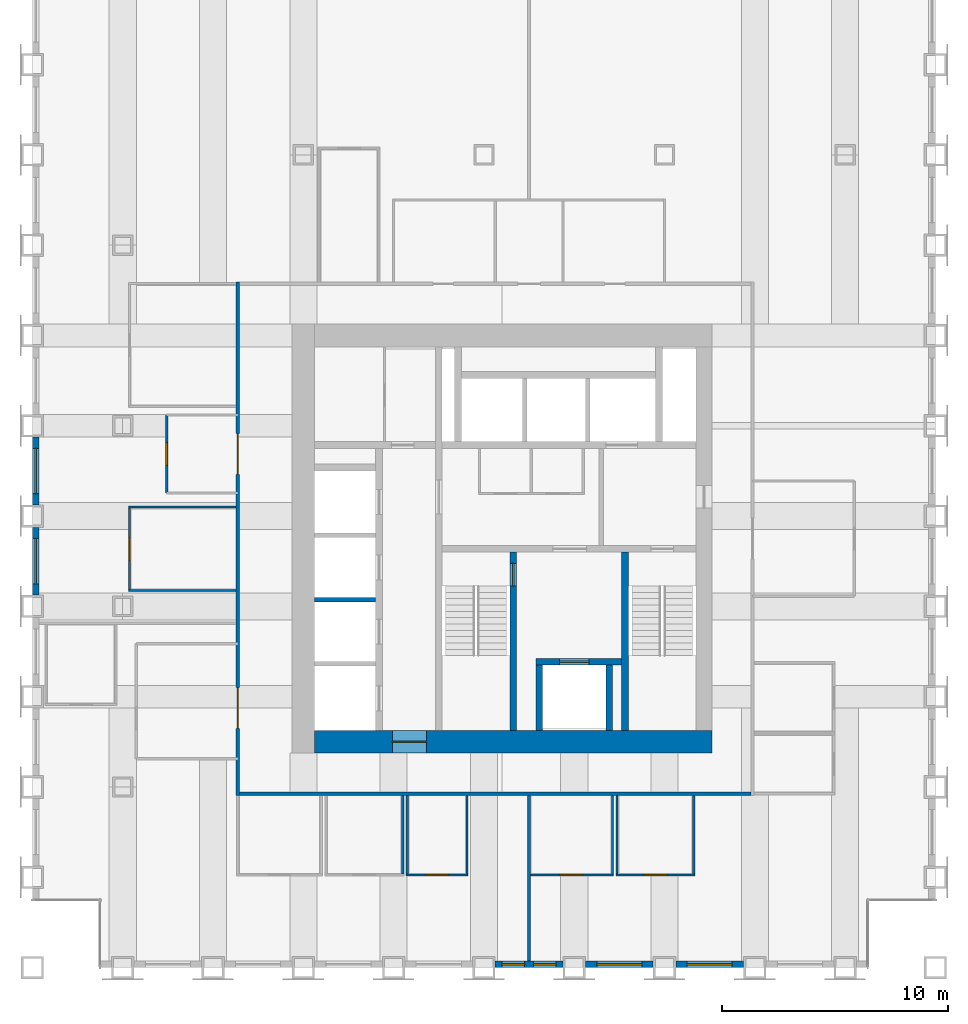
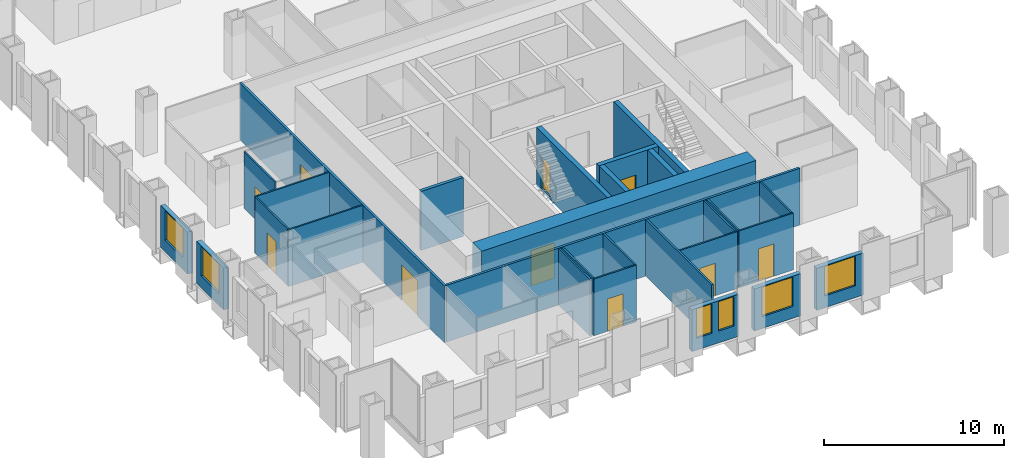
# One storey, part 8 of 13: 28 walls, 10 doors, 6 windows, 16 openings.
"""IFC4 building model written with IfcOpenShell, lengths in metres."""

from ifc_helpers import new_model, si_unit, direction, frame, frame_2d, origin, place, context, subcontext, project, spatial, rectangle, extrude, material, layer, layer_set, type_object, element, fill, save


model = new_model("IFC4")

# Units and contexts
model_context = context("Model", 3, precision=1e-05, world=origin(), true_north=direction((0.0, 1.0)))
body_context = subcontext(model_context, "Body", "Model", "MODEL_VIEW")
ifc_project = project(units=[si_unit("LENGTHUNIT", "METRE"), si_unit("AREAUNIT", "SQUARE_METRE"), si_unit("VOLUMEUNIT", "CUBIC_METRE"), si_unit("PLANEANGLEUNIT", "RADIAN"), si_unit("MASSUNIT", "GRAM", prefix="KILO")], contexts=[model_context])

# Site, building, storey
site_placement = place(None, origin())
site = spatial("IfcSite", under=ifc_project, at=site_placement, CompositionType="ELEMENT")
building_placement = place(site_placement, origin())
building = spatial("IfcBuilding", under=site, at=building_placement, Name="Rimbunsela Tower", CompositionType="ELEMENT")
storey_placement = place(building_placement, frame((0.0, 0.0, 175.800048828125)))
storey = spatial("IfcBuildingStorey", under=building, at=storey_placement, Name="L42", CompositionType="ELEMENT", Elevation=175.800048828125)

# Wall, opening, door
ifc_material_1 = material(Name="Concrete fc' 80 MPa", Category="concrete")
ifc_layer_1 = layer(ifc_material_1, 0.300048828125)
ifc_layer_set_1 = layer_set([ifc_layer_1], Name="Core internal wall 300")
wall_type_1 = type_object("IfcWallType", Name="Core internal wall 300", PredefinedType="SHEAR", material=ifc_layer_set_1)
wall_1_placement = place(storey_placement, frame((27.300048828125, 18.5, -0.150146484375), z_axis=(0.0, 0.0, 1.0), x_axis=(0.0, 1.0, 0.0)))
wall_1 = element("IfcWall", 1, at=wall_1_placement, inside=storey, type_object=wall_type_1, Name="Stair A enclosure", PredefinedType="SHEAR", context=body_context, shape_type="SweptSolid", body=[
    extrude(rectangle(XDim=7.89990234375, YDim=0.300048828125, at=frame_2d((3.949951171875, 0.0))), origin(), (0.0, 0.0, 1.0), 4.0),
])
opening_1_placement = place(wall_1_placement, frame((6.39990234375, 0.0, 0.14990234375)))
opening_1 = element("IfcOpeningElement", 2, at=opening_1_placement, cuts=wall_1, Name="Opening D01", PredefinedType="OPENING", context=body_context, shape_type="SweptSolid", body=[
    extrude(rectangle(XDim=1.0, YDim=2.199951171875, at=frame_2d((0.5, 1.10009765625))), frame((0.0, 0.159912109375, 0.0), z_axis=(0.0, -1.0, 0.0), x_axis=(1.0, 0.0, 0.0)), (0.0, 0.0, 1.0), 0.320068359375),
])
ifc_material_2 = material(Name="Steel door, fire rated", Category="steel")
door_type_1 = type_object("IfcDoorType", Name="Stair door 1000", OperationType="SINGLE_SWING_RIGHT", PredefinedType="DOOR", material=ifc_material_2)
door_1_placement = place(opening_1_placement, origin())
door_1 = element("IfcDoor", 3, at=door_1_placement, inside=storey, type_object=door_type_1, Name="Stair A door", OperationType="SINGLE_SWING_RIGHT", OverallHeight=2.199951171875, OverallWidth=1.0, PredefinedType="DOOR", context=body_context, shape_type="SweptSolid", body=[
    extrude(rectangle(XDim=1.0, YDim=2.199951171875, at=frame_2d((0.5, 1.10009765625))), frame((0.0, 0.02490234375, 0.0), z_axis=(0.0, -1.0, 0.0), x_axis=(1.0, 0.0, 0.0)), (0.0, 0.0, 1.0), 0.050048828125),
])
fill(opening_1, door_1)

# Walls
wall_2_placement = place(storey_placement, frame((32.25, 18.5, -0.150146484375), z_axis=(0.0, 0.0, 1.0), x_axis=(0.0, 1.0, 0.0)))
element("IfcWall", 4, at=wall_2_placement, inside=storey, type_object=wall_type_1, Name="Stair B enclosure", PredefinedType="SHEAR", context=body_context, shape_type="SweptSolid", body=[
    extrude(rectangle(XDim=7.89990234375, YDim=0.300048828125, at=frame_2d((3.949951171875, 0.0))), origin(), (0.0, 0.0, 1.0), 4.0),
])
for number, where, z_axis, x_axis, name in (
    (5, (28.449951171875, 18.5, -0.150146484375), (0.0, 0.0, 1.0), (0.0, 1.0, 0.0), "Firefighting lift shaft west"),
    (6, (31.550048828125, 18.5, -0.150146484375), (0.0, 0.0, 1.0), (0.0, 1.0, 0.0), "Firefighting lift shaft east"),
):
    element("IfcWall", number, at=place(storey_placement, frame(where, z_axis=z_axis, x_axis=x_axis)), inside=storey, type_object=wall_type_1, Name=name, PredefinedType="SHEAR", context=body_context, shape_type="SweptSolid", body=[
        extrude(rectangle(XDim=2.89990234375, YDim=0.300048828125, at=frame_2d((1.449951171875, 0.0))), origin(), (0.0, 0.0, 1.0), 4.0),
    ])

# Wall, opening, door
wall_3_placement = place(storey_placement, frame((28.300048828125, 21.550048828125, -0.150146484375), z_axis=(0.0, 0.0, 1.0), x_axis=(1.0, 0.0, 0.0)))
wall_3 = element("IfcWall", 7, at=wall_3_placement, inside=storey, type_object=wall_type_1, Name="Firefighting lift shaft front", PredefinedType="SHEAR", context=body_context, shape_type="SweptSolid", body=[
    extrude(rectangle(XDim=3.800048828125, YDim=0.300048828125, at=frame_2d((1.89990234375, 0.0))), origin(), (0.0, 0.0, 1.0), 4.0),
])
opening_2_placement = place(wall_3_placement, frame((1.050048828125, 0.0, 0.14990234375)))
opening_2 = element("IfcOpeningElement", 8, at=opening_2_placement, cuts=wall_3, Name="Opening LD2", PredefinedType="OPENING", context=body_context, shape_type="SweptSolid", body=[
    extrude(rectangle(XDim=1.300048828125, YDim=2.39990234375, at=frame_2d((0.64990234375, 1.199951171875))), frame((0.0, 0.159912109375, 0.0), z_axis=(0.0, -1.0, 0.0), x_axis=(1.0, 0.0, 0.0)), (0.0, 0.0, 1.0), 0.320068359375),
])
ifc_material_3 = material(Name="Steel door, fire rated", Category="steel")
door_type_2 = type_object("IfcDoorType", Name="Lift landing door 1300", OperationType="DOUBLE_DOOR_SLIDING", PredefinedType="DOOR", material=ifc_material_3)
door_2_placement = place(opening_2_placement, origin())
door_2 = element("IfcDoor", 9, at=door_2_placement, inside=storey, type_object=door_type_2, Name="Lift landing door FL1", OperationType="DOUBLE_DOOR_SLIDING", OverallHeight=2.39990234375, OverallWidth=1.300048828125, PredefinedType="DOOR", context=body_context, shape_type="SweptSolid", body=[
    extrude(rectangle(XDim=1.300048828125, YDim=2.39990234375, at=frame_2d((0.64990234375, 1.199951171875))), frame((0.0, 0.02490234375, 0.0), z_axis=(0.0, -1.0, 0.0), x_axis=(1.0, 0.0, 0.0)), (0.0, 0.0, 1.0), 0.050048828125),
])
fill(opening_2, door_2)

ifc_material_4 = material(Name="Concrete fc' 80 MPa", Category="concrete")
ifc_layer_2 = layer(ifc_material_4, 1.0)
ifc_layer_set_2 = layer_set([ifc_layer_2], Name="Core wall 1000")
wall_type_2 = type_object("IfcWallType", Name="Core wall 1000", PredefinedType="SHEAR", material=ifc_layer_set_2)
wall_4_placement = place(storey_placement, frame((18.5, 18.0, -0.150146484375), z_axis=(0.0, 0.0, 1.0), x_axis=(1.0, 0.0, 0.0)))
wall_4 = element("IfcWall", 10, at=wall_4_placement, inside=storey, type_object=wall_type_2, Name="Core wall south", PredefinedType="SHEAR", context=body_context, shape_type="SweptSolid", body=[
    extrude(rectangle(XDim=17.60009765625, YDim=1.0, at=frame_2d((8.800048828125, 0.0))), origin(), (0.0, 0.0, 1.0), 4.0),
])
opening_3_placement = place(wall_4_placement, frame((3.449951171875, 0.0, 0.14990234375)))
opening_3 = element("IfcOpeningElement", 11, at=opening_3_placement, cuts=wall_4, Name="Opening D03", PredefinedType="OPENING", context=body_context, shape_type="SweptSolid", body=[
    extrude(rectangle(XDim=1.5, YDim=2.39990234375, at=frame_2d((0.75, 1.199951171875))), frame((0.0, 0.510009765625, 0.0), z_axis=(0.0, -1.0, 0.0), x_axis=(1.0, 0.0, 0.0)), (0.0, 0.0, 1.0), 1.02001953125),
])
ifc_material_5 = material(Name="Steel door, fire rated", Category="steel")
door_type_3 = type_object("IfcDoorType", Name="Core lobby door 1500", OperationType="DOUBLE_DOOR_DOUBLE_SWING", PredefinedType="DOOR", material=ifc_material_5)
door_3_placement = place(opening_3_placement, origin())
door_3 = element("IfcDoor", 12, at=door_3_placement, inside=storey, type_object=door_type_3, Name="Core door south", OperationType="DOUBLE_DOOR_DOUBLE_SWING", OverallHeight=2.39990234375, OverallWidth=1.5, PredefinedType="DOOR", context=body_context, shape_type="SweptSolid", body=[
    extrude(rectangle(XDim=1.5, YDim=2.39990234375, at=frame_2d((0.75, 1.199951171875))), frame((0.0, 0.02490234375, 0.0), z_axis=(0.0, -1.0, 0.0), x_axis=(1.0, 0.0, 0.0)), (0.0, 0.0, 1.0), 0.050048828125),
])
fill(opening_3, door_3)

# Wall
ifc_material_6 = material(Name="Concrete blockwork", Category="masonry")
ifc_layer_3 = layer(ifc_material_6, 0.199951171875)
ifc_layer_set_3 = layer_set([ifc_layer_3], Name="Lift shaft wall 200")
wall_type_3 = type_object("IfcWallType", Name="Lift shaft wall 200", PredefinedType="SOLIDWALL", material=ifc_layer_set_3)
wall_5_placement = place(storey_placement, frame((18.5, 24.300048828125, -0.150146484375), z_axis=(0.0, 0.0, 1.0), x_axis=(1.0, 0.0, 0.0)))
element("IfcWall", 13, at=wall_5_placement, inside=storey, type_object=wall_type_3, Name="Lift shaft separation", PredefinedType="SOLIDWALL", context=body_context, shape_type="SweptSolid", body=[
    extrude(rectangle(XDim=2.699951171875, YDim=0.199951171875, at=frame_2d((1.35009765625, 0.0))), origin(), (0.0, 0.0, 1.0), 4.0),
])

# Wall, opening, door
ifc_material_7 = material(Name="Gypsum board on steel studs", Category="steel")
ifc_layer_4 = layer(ifc_material_7, 0.10009765625)
ifc_layer_set_4 = layer_set([ifc_layer_4], Name="Office partition 100")
wall_type_4 = type_object("IfcWallType", Name="Office partition 100", PredefinedType="PARTITIONING", material=ifc_layer_set_4)
wall_6_placement = place(storey_placement, frame((22.550048828125, 12.10009765625, 0.0), z_axis=(0.0, 0.0, 1.0), x_axis=(1.0, 0.0, 0.0)))
wall_6 = element("IfcWall", 14, at=wall_6_placement, inside=storey, type_object=wall_type_4, Name="Office partition", PredefinedType="PARTITIONING", context=body_context, shape_type="SweptSolid", body=[
    extrude(rectangle(XDim=2.75, YDim=0.10009765625, at=frame_2d((1.375, 0.0))), origin(), (0.0, 0.0, 1.0), 3.849853515625),
])
opening_4_placement = place(wall_6_placement, frame((0.875, 0.0, 0.0)))
opening_4 = element("IfcOpeningElement", 15, at=opening_4_placement, cuts=wall_6, Name="Opening D16", PredefinedType="OPENING", context=body_context, shape_type="SweptSolid", body=[
    extrude(rectangle(XDim=1.0, YDim=2.199951171875, at=frame_2d((0.5, 1.10009765625))), frame((0.0, 0.06005859375, 0.0), z_axis=(0.0, -1.0, 0.0), x_axis=(1.0, 0.0, 0.0)), (0.0, 0.0, 1.0), 0.1201171875),
])
ifc_material_8 = material(Name="Timber door", Category="wood")
door_type_4 = type_object("IfcDoorType", Name="Office door 1000", OperationType="SINGLE_SWING_LEFT", PredefinedType="DOOR", material=ifc_material_8)
door_4_placement = place(opening_4_placement, origin())
door_4 = element("IfcDoor", 16, at=door_4_placement, inside=storey, type_object=door_type_4, Name="Office door", OperationType="SINGLE_SWING_LEFT", OverallHeight=2.199951171875, OverallWidth=1.0, PredefinedType="DOOR", context=body_context, shape_type="SweptSolid", body=[
    extrude(rectangle(XDim=1.0, YDim=2.199951171875, at=frame_2d((0.5, 1.10009765625))), frame((0.0, 0.02490234375, 0.0), z_axis=(0.0, -1.0, 0.0), x_axis=(1.0, 0.0, 0.0)), (0.0, 0.0, 1.0), 0.050048828125),
])
fill(opening_4, door_4)

wall_7_placement = place(storey_placement, frame((28.06005859375, 12.10009765625, 0.0), z_axis=(0.0, 0.0, 1.0), x_axis=(1.0, 0.0, 0.0)))
wall_7 = element("IfcWall", 17, at=wall_7_placement, inside=storey, type_object=wall_type_4, Name="Office partition", PredefinedType="PARTITIONING", context=body_context, shape_type="SweptSolid", body=[
    extrude(rectangle(XDim=3.68994140625, YDim=0.10009765625, at=frame_2d((1.844970703125, 0.0))), origin(), (0.0, 0.0, 1.0), 3.849853515625),
])
opening_5_placement = place(wall_7_placement, frame((1.2900390625, 0.0, 0.0)))
opening_5 = element("IfcOpeningElement", 18, at=opening_5_placement, cuts=wall_7, Name="Opening D17", PredefinedType="OPENING", context=body_context, shape_type="SweptSolid", body=[
    extrude(rectangle(XDim=1.0, YDim=2.199951171875, at=frame_2d((0.5, 1.10009765625))), frame((0.0, 0.06005859375, 0.0), z_axis=(0.0, -1.0, 0.0), x_axis=(1.0, 0.0, 0.0)), (0.0, 0.0, 1.0), 0.1201171875),
])
ifc_material_9 = material(Name="Glazed aluminium door", Category="aluminium")
door_type_5 = type_object("IfcDoorType", Name="Meeting room door 1000 glazed", OperationType="SINGLE_SWING_RIGHT", PredefinedType="DOOR", material=ifc_material_9)
door_5_placement = place(opening_5_placement, origin())
door_5 = element("IfcDoor", 19, at=door_5_placement, inside=storey, type_object=door_type_5, Name="Meeting room door", OperationType="SINGLE_SWING_RIGHT", OverallHeight=2.199951171875, OverallWidth=1.0, PredefinedType="DOOR", context=body_context, shape_type="SweptSolid", body=[
    extrude(rectangle(XDim=1.0, YDim=2.199951171875, at=frame_2d((0.5, 1.10009765625))), frame((0.0, 0.02490234375, 0.0), z_axis=(0.0, -1.0, 0.0), x_axis=(1.0, 0.0, 0.0)), (0.0, 0.0, 1.0), 0.050048828125),
])
fill(opening_5, door_5)

wall_8_placement = place(storey_placement, frame((31.85009765625, 12.10009765625, 0.0), z_axis=(0.0, 0.0, 1.0), x_axis=(1.0, 0.0, 0.0)))
wall_8 = element("IfcWall", 20, at=wall_8_placement, inside=storey, type_object=wall_type_4, Name="Office partition", PredefinedType="PARTITIONING", context=body_context, shape_type="SweptSolid", body=[
    extrude(rectangle(XDim=3.5, YDim=0.10009765625, at=frame_2d((1.75, 0.0))), origin(), (0.0, 0.0, 1.0), 3.849853515625),
])
opening_6_placement = place(wall_8_placement, frame((1.25, 0.0, 0.0)))
opening_6 = element("IfcOpeningElement", 21, at=opening_6_placement, cuts=wall_8, Name="Opening D16", PredefinedType="OPENING", context=body_context, shape_type="SweptSolid", body=[
    extrude(rectangle(XDim=1.0, YDim=2.199951171875, at=frame_2d((0.5, 1.10009765625))), frame((0.0, 0.06005859375, 0.0), z_axis=(0.0, -1.0, 0.0), x_axis=(1.0, 0.0, 0.0)), (0.0, 0.0, 1.0), 0.1201171875),
])
door_6_placement = place(opening_6_placement, origin())
door_6 = element("IfcDoor", 22, at=door_6_placement, inside=storey, type_object=door_type_4, Name="Office door", OperationType="SINGLE_SWING_LEFT", OverallHeight=2.199951171875, OverallWidth=1.0, PredefinedType="DOOR", context=body_context, shape_type="SweptSolid", body=[
    extrude(rectangle(XDim=1.0, YDim=2.199951171875, at=frame_2d((0.5, 1.10009765625))), frame((0.0, 0.02490234375, 0.0), z_axis=(0.0, -1.0, 0.0), x_axis=(1.0, 0.0, 0.0)), (0.0, 0.0, 1.0), 0.050048828125),
])
fill(opening_6, door_6)

# Walls
for number, where, z_axis, x_axis, name in (
    (23, (10.25, 24.699951171875, 0.0), (0.0, 0.0, 1.0), (1.0, 0.0, 0.0), "Office partition"),
    (24, (10.25, 28.39990234375, 0.0), (0.0, 0.0, 1.0), (1.0, 0.0, 0.0), "Office partition"),
):
    element("IfcWall", number, at=place(storey_placement, frame(where, z_axis=z_axis, x_axis=x_axis)), inside=storey, type_object=wall_type_4, Name=name, PredefinedType="PARTITIONING", context=body_context, shape_type="SweptSolid", body=[
        extrude(rectangle(XDim=4.77490234375, YDim=0.10009765625, at=frame_2d((2.387451171875, 0.0))), origin(), (0.0, 0.0, 1.0), 3.849853515625),
    ])

# Wall, opening, door
wall_9_placement = place(storey_placement, frame((10.300048828125, 24.75, 0.0), z_axis=(0.0, 0.0, 1.0), x_axis=(0.0, 1.0, 0.0)))
wall_9 = element("IfcWall", 25, at=wall_9_placement, inside=storey, type_object=wall_type_4, Name="Office partition", PredefinedType="PARTITIONING", context=body_context, shape_type="SweptSolid", body=[
    extrude(rectangle(XDim=3.60009765625, YDim=0.10009765625, at=frame_2d((1.800048828125, 0.0))), origin(), (0.0, 0.0, 1.0), 3.849853515625),
])
opening_7_placement = place(wall_9_placement, frame((1.300048828125, 0.0, 0.0)))
opening_7 = element("IfcOpeningElement", 26, at=opening_7_placement, cuts=wall_9, Name="Opening D17", PredefinedType="OPENING", context=body_context, shape_type="SweptSolid", body=[
    extrude(rectangle(XDim=1.0, YDim=2.199951171875, at=frame_2d((0.5, 1.10009765625))), frame((0.0, 0.06005859375, 0.0), z_axis=(0.0, -1.0, 0.0), x_axis=(1.0, 0.0, 0.0)), (0.0, 0.0, 1.0), 0.1201171875),
])
door_7_placement = place(opening_7_placement, origin())
door_7 = element("IfcDoor", 27, at=door_7_placement, inside=storey, type_object=door_type_5, Name="Meeting room door", OperationType="SINGLE_SWING_RIGHT", OverallHeight=2.199951171875, OverallWidth=1.0, PredefinedType="DOOR", context=body_context, shape_type="SweptSolid", body=[
    extrude(rectangle(XDim=1.0, YDim=2.199951171875, at=frame_2d((0.5, 1.10009765625))), frame((0.0, 0.02490234375, 0.0), z_axis=(0.0, -1.0, 0.0), x_axis=(1.0, 0.0, 0.0)), (0.0, 0.0, 1.0), 0.050048828125),
])
fill(opening_7, door_7)

# Walls
for number, where, z_axis, x_axis, name in (
    (28, (22.39990234375, 12.14990234375, 0.0), (0.0, 0.0, 1.0), (0.0, 1.0, 0.0), "Office partition"),
    (29, (22.60009765625, 12.14990234375, 0.0), (0.0, 0.0, 1.0), (0.0, 1.0, 0.0), "Office partition"),
    (30, (25.25, 12.14990234375, 0.0), (0.0, 0.0, 1.0), (0.0, 1.0, 0.0), "Office partition"),
    (31, (31.699951171875, 12.14990234375, 0.0), (0.0, 0.0, 1.0), (0.0, 1.0, 0.0), "Office partition"),
    (32, (31.89990234375, 12.14990234375, 0.0), (0.0, 0.0, 1.0), (0.0, 1.0, 0.0), "Office partition"),
    (33, (35.300048828125, 12.14990234375, 0.0), (0.0, 0.0, 1.0), (0.0, 1.0, 0.0), "Office partition"),
):
    element("IfcWall", number, at=place(storey_placement, frame(where, z_axis=z_axis, x_axis=x_axis)), inside=storey, type_object=wall_type_4, Name=name, PredefinedType="PARTITIONING", context=body_context, shape_type="SweptSolid", body=[
        extrude(rectangle(XDim=3.47509765625, YDim=0.10009765625, at=frame_2d((1.737548828125, 0.0))), origin(), (0.0, 0.0, 1.0), 3.849853515625),
    ])

# Wall, opening, door
wall_10_placement = place(storey_placement, frame((11.949951171875, 32.47509765625, 0.0), z_axis=(0.0, 0.0, 1.0), x_axis=(0.0, -1.0, 0.0)))
wall_10 = element("IfcWall", 34, at=wall_10_placement, inside=storey, type_object=wall_type_4, Name="Office partition", PredefinedType="PARTITIONING", context=body_context, shape_type="SweptSolid", body=[
    extrude(rectangle(XDim=3.4501953125, YDim=0.10009765625, at=frame_2d((1.72509765625, 0.0))), origin(), (0.0, 0.0, 1.0), 3.849853515625),
])
opening_8_placement = place(wall_10_placement, frame((1.22509765625, 0.0, 0.0)))
opening_8 = element("IfcOpeningElement", 35, at=opening_8_placement, cuts=wall_10, Name="Opening D17", PredefinedType="OPENING", context=body_context, shape_type="SweptSolid", body=[
    extrude(rectangle(XDim=1.0, YDim=2.199951171875, at=frame_2d((0.5, 1.10009765625))), frame((0.0, 0.06005859375, 0.0), z_axis=(0.0, -1.0, 0.0), x_axis=(1.0, 0.0, 0.0)), (0.0, 0.0, 1.0), 0.1201171875),
])
door_8_placement = place(opening_8_placement, origin())
door_8 = element("IfcDoor", 36, at=door_8_placement, inside=storey, type_object=door_type_5, Name="Reception door", OperationType="SINGLE_SWING_RIGHT", OverallHeight=2.199951171875, OverallWidth=1.0, PredefinedType="DOOR", context=body_context, shape_type="SweptSolid", body=[
    extrude(rectangle(XDim=1.0, YDim=2.199951171875, at=frame_2d((0.5, 1.10009765625))), frame((0.0, 0.02490234375, 0.0), z_axis=(0.0, -1.0, 0.0), x_axis=(1.0, 0.0, 0.0)), (0.0, 0.0, 1.0), 0.050048828125),
])
fill(opening_8, door_8)

# Wall, openings, windows
ifc_material_10 = material(Name="Precast concrete fc' 35 MPa", Category="concrete")
ifc_layer_5 = layer(ifc_material_10, 0.300048828125)
ifc_layer_set_5 = layer_set([ifc_layer_5], Name="Precast concrete fc' 35 MPa")
wall_type_5 = type_object("IfcWallType", Name="Precast facade panel 300", PredefinedType="ELEMENTEDWALL", material=ifc_layer_set_5)
wall_11_placement = place(storey_placement, frame((26.5, 8.14990234375, 0.0), z_axis=(0.0, 0.0, 1.0), x_axis=(1.0, 0.0, 0.0)))
wall_11 = element("IfcWall", 37, at=wall_11_placement, inside=storey, type_object=wall_type_5, Name="Facade panel S L42", PredefinedType="ELEMENTEDWALL", context=body_context, shape_type="SweptSolid", body=[
    extrude(rectangle(XDim=3.0, YDim=0.300048828125, at=frame_2d((1.5, 0.0))), origin(), (0.0, 0.0, 1.0), 2.849853515625),
])
opening_9_placement = place(wall_11_placement, frame((0.300048828125, 0.0, 0.800048828125)))
opening_9 = element("IfcOpeningElement", 38, at=opening_9_placement, cuts=wall_11, Name="Opening W5", PredefinedType="OPENING", context=body_context, shape_type="SweptSolid", body=[
    extrude(rectangle(XDim=1.0, YDim=2.0, at=frame_2d((0.5, 1.0))), frame((0.0, 0.159912109375, 0.0), z_axis=(0.0, -1.0, 0.0), x_axis=(1.0, 0.0, 0.0)), (0.0, 0.0, 1.0), 0.320068359375),
])
opening_10_placement = place(wall_11_placement, frame((1.699951171875, 0.0, 0.800048828125)))
opening_10 = element("IfcOpeningElement", 39, at=opening_10_placement, cuts=wall_11, Name="Opening W5", PredefinedType="OPENING", context=body_context, shape_type="SweptSolid", body=[
    extrude(rectangle(XDim=1.0, YDim=2.0, at=frame_2d((0.5, 1.0))), frame((0.0, 0.159912109375, 0.0), z_axis=(0.0, -1.0, 0.0), x_axis=(1.0, 0.0, 0.0)), (0.0, 0.0, 1.0), 0.320068359375),
])
ifc_material_11 = material(Name="Clear glass in aluminium frame", Category="aluminium")
window_type_1 = type_object("IfcWindowType", Name="Window W5 1000x2000", PartitioningType="SINGLE_PANEL", PredefinedType="WINDOW", material=ifc_material_11)
window_1_placement = place(opening_9_placement, origin())
window_1 = element("IfcWindow", 40, at=window_1_placement, inside=storey, type_object=window_type_1, Name="Window L42", OverallHeight=2.0, OverallWidth=1.0, PartitioningType="SINGLE_PANEL", PredefinedType="WINDOW", context=body_context, shape_type="SweptSolid", body=[
    extrude(rectangle(XDim=1.0, YDim=2.0, at=frame_2d((0.5, 1.0))), frame((0.0, 0.030029296875, 0.0), z_axis=(0.0, -1.0, 0.0), x_axis=(1.0, 0.0, 0.0)), (0.0, 0.0, 1.0), 0.06005859375),
])
fill(opening_9, window_1)
window_2_placement = place(opening_10_placement, origin())
window_2 = element("IfcWindow", 41, at=window_2_placement, inside=storey, type_object=window_type_1, Name="Window L42", OverallHeight=2.0, OverallWidth=1.0, PartitioningType="SINGLE_PANEL", PredefinedType="WINDOW", context=body_context, shape_type="SweptSolid", body=[
    extrude(rectangle(XDim=1.0, YDim=2.0, at=frame_2d((0.5, 1.0))), frame((0.0, 0.030029296875, 0.0), z_axis=(0.0, -1.0, 0.0), x_axis=(1.0, 0.0, 0.0)), (0.0, 0.0, 1.0), 0.06005859375),
])
fill(opening_10, window_2)

# Wall, opening, window
wall_12_placement = place(storey_placement, frame((30.5, 8.14990234375, 0.0), z_axis=(0.0, 0.0, 1.0), x_axis=(1.0, 0.0, 0.0)))
wall_12 = element("IfcWall", 42, at=wall_12_placement, inside=storey, type_object=wall_type_5, Name="Facade panel S L42", PredefinedType="ELEMENTEDWALL", context=body_context, shape_type="SweptSolid", body=[
    extrude(rectangle(XDim=3.0, YDim=0.300048828125, at=frame_2d((1.5, 0.0))), origin(), (0.0, 0.0, 1.0), 2.849853515625),
])
opening_11_placement = place(wall_12_placement, frame((0.5, 0.0, 0.800048828125)))
opening_11 = element("IfcOpeningElement", 43, at=opening_11_placement, cuts=wall_12, Name="Opening W1", PredefinedType="OPENING", context=body_context, shape_type="SweptSolid", body=[
    extrude(rectangle(XDim=2.0, YDim=2.0, at=frame_2d((1.0, 1.0))), frame((0.0, 0.159912109375, 0.0), z_axis=(0.0, -1.0, 0.0), x_axis=(1.0, 0.0, 0.0)), (0.0, 0.0, 1.0), 0.320068359375),
])
ifc_material_12 = material(Name="Clear glass in aluminium frame", Category="aluminium")
window_type_2 = type_object("IfcWindowType", Name="Window W1 2000x2000", PartitioningType="DOUBLE_PANEL_VERTICAL", PredefinedType="WINDOW", material=ifc_material_12)
window_3_placement = place(opening_11_placement, origin())
window_3 = element("IfcWindow", 44, at=window_3_placement, inside=storey, type_object=window_type_2, Name="Window L42", OverallHeight=2.0, OverallWidth=2.0, PartitioningType="SINGLE_PANEL", PredefinedType="WINDOW", context=body_context, shape_type="SweptSolid", body=[
    extrude(rectangle(XDim=2.0, YDim=2.0, at=frame_2d((1.0, 1.0))), frame((0.0, 0.030029296875, 0.0), z_axis=(0.0, -1.0, 0.0), x_axis=(1.0, 0.0, 0.0)), (0.0, 0.0, 1.0), 0.06005859375),
])
fill(opening_11, window_3)

wall_13_placement = place(storey_placement, frame((34.5, 8.14990234375, 0.0), z_axis=(0.0, 0.0, 1.0), x_axis=(1.0, 0.0, 0.0)))
wall_13 = element("IfcWall", 45, at=wall_13_placement, inside=storey, type_object=wall_type_5, Name="Facade panel S L42", PredefinedType="ELEMENTEDWALL", context=body_context, shape_type="SweptSolid", body=[
    extrude(rectangle(XDim=3.0, YDim=0.300048828125, at=frame_2d((1.5, 0.0))), origin(), (0.0, 0.0, 1.0), 2.849853515625),
])
opening_12_placement = place(wall_13_placement, frame((0.5, 0.0, 0.800048828125)))
opening_12 = element("IfcOpeningElement", 46, at=opening_12_placement, cuts=wall_13, Name="Opening W1", PredefinedType="OPENING", context=body_context, shape_type="SweptSolid", body=[
    extrude(rectangle(XDim=2.0, YDim=2.0, at=frame_2d((1.0, 1.0))), frame((0.0, 0.159912109375, 0.0), z_axis=(0.0, -1.0, 0.0), x_axis=(1.0, 0.0, 0.0)), (0.0, 0.0, 1.0), 0.320068359375),
])
window_4_placement = place(opening_12_placement, origin())
window_4 = element("IfcWindow", 47, at=window_4_placement, inside=storey, type_object=window_type_2, Name="Window L42", OverallHeight=2.0, OverallWidth=2.0, PartitioningType="SINGLE_PANEL", PredefinedType="WINDOW", context=body_context, shape_type="SweptSolid", body=[
    extrude(rectangle(XDim=2.0, YDim=2.0, at=frame_2d((1.0, 1.0))), frame((0.0, 0.030029296875, 0.0), z_axis=(0.0, -1.0, 0.0), x_axis=(1.0, 0.0, 0.0)), (0.0, 0.0, 1.0), 0.06005859375),
])
fill(opening_12, window_4)

wall_14_placement = place(storey_placement, frame((6.14990234375, 27.5, 0.0), z_axis=(0.0, 0.0, 1.0), x_axis=(0.0, -1.0, 0.0)))
wall_14 = element("IfcWall", 48, at=wall_14_placement, inside=storey, type_object=wall_type_5, Name="Facade panel W L42", PredefinedType="ELEMENTEDWALL", context=body_context, shape_type="SweptSolid", body=[
    extrude(rectangle(XDim=3.0, YDim=0.300048828125, at=frame_2d((1.5, 0.0))), origin(), (0.0, 0.0, 1.0), 2.849853515625),
])
opening_13_placement = place(wall_14_placement, frame((0.5, 0.0, 0.800048828125)))
opening_13 = element("IfcOpeningElement", 49, at=opening_13_placement, cuts=wall_14, Name="Opening W1", PredefinedType="OPENING", context=body_context, shape_type="SweptSolid", body=[
    extrude(rectangle(XDim=2.0, YDim=2.0, at=frame_2d((1.0, 1.0))), frame((0.0, 0.159912109375, 0.0), z_axis=(0.0, -1.0, 0.0), x_axis=(1.0, 0.0, 0.0)), (0.0, 0.0, 1.0), 0.320068359375),
])
window_5_placement = place(opening_13_placement, origin())
window_5 = element("IfcWindow", 50, at=window_5_placement, inside=storey, type_object=window_type_2, Name="Window L42", OverallHeight=2.0, OverallWidth=2.0, PartitioningType="SINGLE_PANEL", PredefinedType="WINDOW", context=body_context, shape_type="SweptSolid", body=[
    extrude(rectangle(XDim=2.0, YDim=2.0, at=frame_2d((1.0, 1.0))), frame((0.0, 0.030029296875, 0.0), z_axis=(0.0, -1.0, 0.0), x_axis=(1.0, 0.0, 0.0)), (0.0, 0.0, 1.0), 0.06005859375),
])
fill(opening_13, window_5)

wall_15_placement = place(storey_placement, frame((6.14990234375, 31.5, 0.0), z_axis=(0.0, 0.0, 1.0), x_axis=(0.0, -1.0, 0.0)))
wall_15 = element("IfcWall", 51, at=wall_15_placement, inside=storey, type_object=wall_type_5, Name="Facade panel W L42", PredefinedType="ELEMENTEDWALL", context=body_context, shape_type="SweptSolid", body=[
    extrude(rectangle(XDim=3.0, YDim=0.300048828125, at=frame_2d((1.5, 0.0))), origin(), (0.0, 0.0, 1.0), 2.849853515625),
])
opening_14_placement = place(wall_15_placement, frame((0.5, 0.0, 0.800048828125)))
opening_14 = element("IfcOpeningElement", 52, at=opening_14_placement, cuts=wall_15, Name="Opening W1", PredefinedType="OPENING", context=body_context, shape_type="SweptSolid", body=[
    extrude(rectangle(XDim=2.0, YDim=2.0, at=frame_2d((1.0, 1.0))), frame((0.0, 0.159912109375, 0.0), z_axis=(0.0, -1.0, 0.0), x_axis=(1.0, 0.0, 0.0)), (0.0, 0.0, 1.0), 0.320068359375),
])
window_6_placement = place(opening_14_placement, origin())
window_6 = element("IfcWindow", 53, at=window_6_placement, inside=storey, type_object=window_type_2, Name="Window L42", OverallHeight=2.0, OverallWidth=2.0, PartitioningType="SINGLE_PANEL", PredefinedType="WINDOW", context=body_context, shape_type="SweptSolid", body=[
    extrude(rectangle(XDim=2.0, YDim=2.0, at=frame_2d((1.0, 1.0))), frame((0.0, 0.030029296875, 0.0), z_axis=(0.0, -1.0, 0.0), x_axis=(1.0, 0.0, 0.0)), (0.0, 0.0, 1.0), 0.06005859375),
])
fill(opening_14, window_6)

# Wall, openings, doors
ifc_material_13 = material(Name="Fire-rated gypsum board on steel studs, EI 60", Category="steel")
ifc_layer_6 = layer(ifc_material_13, 0.14990234375)
ifc_layer_set_6 = layer_set([ifc_layer_6], Name="Rated corridor wall 150")
wall_type_6 = type_object("IfcWallType", Name="Rated corridor wall 150", PredefinedType="PARTITIONING", material=ifc_layer_set_6)
wall_16_placement = place(storey_placement, frame((15.10009765625, 15.625, 0.0), z_axis=(0.0, 0.0, 1.0), x_axis=(0.0, 1.0, 0.0)))
wall_16 = element("IfcWall", 54, at=wall_16_placement, inside=storey, type_object=wall_type_6, Name="Corridor wall west", PredefinedType="PARTITIONING", context=body_context, shape_type="SweptSolid", body=[
    extrude(rectangle(XDim=22.75, YDim=0.14990234375, at=frame_2d((11.375, 0.0))), origin(), (0.0, 0.0, 1.0), 3.849853515625),
])
opening_15_placement = place(wall_16_placement, frame((2.97412109375, 0.0, 0.0)))
opening_15 = element("IfcOpeningElement", 55, at=opening_15_placement, cuts=wall_16, Name="Opening D09", PredefinedType="OPENING", context=body_context, shape_type="SweptSolid", body=[
    extrude(rectangle(XDim=1.800048828125, YDim=2.39990234375, at=frame_2d((0.89990234375, 1.199951171875))), frame((0.0, 0.0849609375, 0.0), z_axis=(0.0, -1.0, 0.0), x_axis=(1.0, 0.0, 0.0)), (0.0, 0.0, 1.0), 0.169921875),
])
opening_16_placement = place(wall_16_placement, frame((14.22509765625, 0.0, 0.0)))
opening_16 = element("IfcOpeningElement", 56, at=opening_16_placement, cuts=wall_16, Name="Opening D09", PredefinedType="OPENING", context=body_context, shape_type="SweptSolid", body=[
    extrude(rectangle(XDim=1.800048828125, YDim=2.39990234375, at=frame_2d((0.89990234375, 1.199951171875))), frame((0.0, 0.0849609375, 0.0), z_axis=(0.0, -1.0, 0.0), x_axis=(1.0, 0.0, 0.0)), (0.0, 0.0, 1.0), 0.169921875),
])
ifc_material_14 = material(Name="Glazed aluminium door, fire rated", Category="aluminium")
door_type_6 = type_object("IfcDoorType", Name="Tenancy door 1800 glazed", OperationType="DOUBLE_DOOR_DOUBLE_SWING", PredefinedType="DOOR", material=ifc_material_14)
door_9_placement = place(opening_15_placement, origin())
door_9 = element("IfcDoor", 57, at=door_9_placement, inside=storey, type_object=door_type_6, Name="Tenancy door", OperationType="DOUBLE_DOOR_DOUBLE_SWING", OverallHeight=2.39990234375, OverallWidth=1.800048828125, PredefinedType="DOOR", context=body_context, shape_type="SweptSolid", body=[
    extrude(rectangle(XDim=1.800048828125, YDim=2.39990234375, at=frame_2d((0.89990234375, 1.199951171875))), frame((0.0, 0.02490234375, 0.0), z_axis=(0.0, -1.0, 0.0), x_axis=(1.0, 0.0, 0.0)), (0.0, 0.0, 1.0), 0.050048828125),
])
fill(opening_15, door_9)
door_10_placement = place(opening_16_placement, origin())
door_10 = element("IfcDoor", 58, at=door_10_placement, inside=storey, type_object=door_type_6, Name="Tenancy door", OperationType="DOUBLE_DOOR_DOUBLE_SWING", OverallHeight=2.39990234375, OverallWidth=1.800048828125, PredefinedType="DOOR", context=body_context, shape_type="SweptSolid", body=[
    extrude(rectangle(XDim=1.800048828125, YDim=2.39990234375, at=frame_2d((0.89990234375, 1.199951171875))), frame((0.0, 0.02490234375, 0.0), z_axis=(0.0, -1.0, 0.0), x_axis=(1.0, 0.0, 0.0)), (0.0, 0.0, 1.0), 0.050048828125),
])
fill(opening_16, door_10)

# Walls
wall_17_placement = place(storey_placement, frame((15.175048828125, 15.699951171875, 0.0), z_axis=(0.0, 0.0, 1.0), x_axis=(1.0, 0.0, 0.0)))
element("IfcWall", 59, at=wall_17_placement, inside=storey, type_object=wall_type_6, Name="Corridor wall south", PredefinedType="PARTITIONING", context=body_context, shape_type="SweptSolid", body=[
    extrude(rectangle(XDim=22.64990234375, YDim=0.14990234375, at=frame_2d((11.324951171875, 0.0))), origin(), (0.0, 0.0, 1.0), 3.849853515625),
])
ifc_material_15 = material(Name="Gypsum board on steel studs", Category="steel")
ifc_layer_7 = layer(ifc_material_15, 0.1201171875)
ifc_layer_set_7 = layer_set([ifc_layer_7], Name="Tenancy partition 120")
wall_type_7 = type_object("IfcWallType", Name="Tenancy partition 120", PredefinedType="PARTITIONING", material=ifc_layer_set_7)
wall_18_placement = place(storey_placement, frame((28.0, 8.300048828125, 0.0), z_axis=(0.0, 0.0, 1.0), x_axis=(0.0, 1.0, 0.0)))
element("IfcWall", 60, at=wall_18_placement, inside=storey, type_object=wall_type_7, Name="Tenancy partition south", PredefinedType="PARTITIONING", context=body_context, shape_type="SweptSolid", body=[
    extrude(rectangle(XDim=7.324951171875, YDim=0.1201171875, at=frame_2d((3.66259765625, 0.0))), origin(), (0.0, 0.0, 1.0), 3.849853515625),
])

save(model, "model.ifc")
